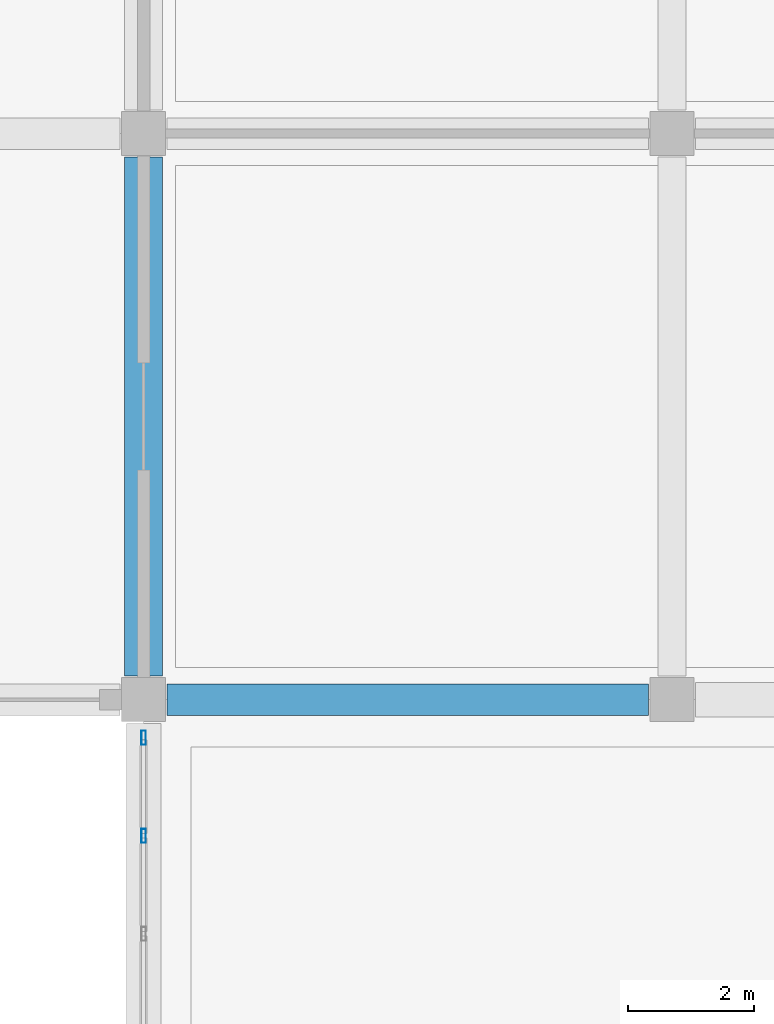
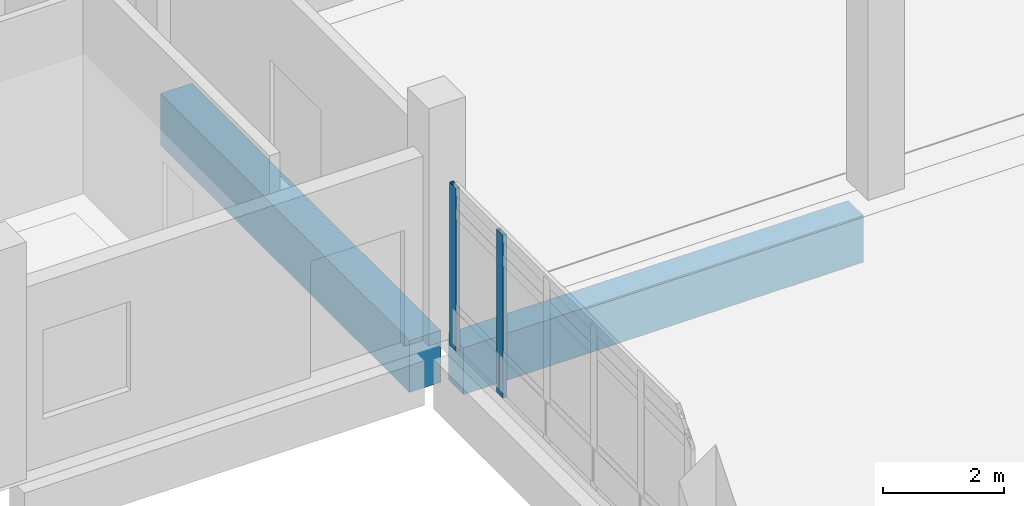
# One storey, part 13 of 95: 2 beams, 2 members, 1 element without a shape of its own.
"""IFC4 building model written with IfcOpenShell, lengths in metres."""

from ifc_helpers import new_model, si_unit, direction, frame, origin, origin_2d, place, context, subcontext, project, spatial, rectangle, hollow_rectangle, extrude, material, layer, layer_set, material_profile, profile_set, type_object, element, aggregate, save


model = new_model("IFC4")

# Units and contexts
model_context = context("Model", 3, precision=1e-05, world=origin(), true_north=direction((0.0, 1.0)))
body_context = subcontext(model_context, "Body", "Model", "MODEL_VIEW")
ifc_project = project(units=[si_unit("LENGTHUNIT", "METRE"), si_unit("AREAUNIT", "SQUARE_METRE"), si_unit("VOLUMEUNIT", "CUBIC_METRE"), si_unit("PLANEANGLEUNIT", "RADIAN"), si_unit("MASSUNIT", "GRAM", prefix="KILO")], contexts=[model_context])

# Site, building, storey
site_placement = place(None, origin())
site = spatial("IfcSite", under=ifc_project, at=site_placement, CompositionType="ELEMENT")
building_placement = place(site_placement, origin())
building = spatial("IfcBuilding", under=site, at=building_placement, Name="Vireocrest Preparatory School", CompositionType="ELEMENT")
storey_placement = place(building_placement, origin())
storey = spatial("IfcBuildingStorey", under=building, at=storey_placement, Name="L00", CompositionType="ELEMENT", Elevation=0.0)

# Curtain wall, members
ifc_material_1 = material(Name="Thermally broken aluminium EN AW-6063-T6", Category="aluminium")
ifc_layer = layer(ifc_material_1, 0.179931640625)
ifc_layer_set = layer_set([ifc_layer], Name="Thermally broken aluminium EN AW-6063-T6")
curtain_wall_type = type_object("IfcCurtainWallType", Name="Dining Side Storefront 9000x4400", PredefinedType="USERDEFINED", material=ifc_layer_set)
curtain_wall_placement = place(storey_placement, origin())
curtain_wall = element("IfcCurtainWall", 1, at=curtain_wall_placement, inside=storey, type_object=curtain_wall_type, Name="Curtain Wall CW11 CW_L00_CW11_0504_0095_000", ObjectType="CURTAIN WALL", PredefinedType="USERDEFINED")
ifc_material_profile_1 = material_profile(ifc_material_1, hollow_rectangle(XDim=0.074951171875, YDim=0.22509765625, WallThickness=0.0048828125, at=origin_2d()), Name="ALU 75x225x5")
ifc_profile_set_1 = profile_set([ifc_material_profile_1], Name="Thermally broken aluminium EN AW-6063-T6")
member_type = type_object("IfcMemberType", Name="CW Mullion 75x225x5", PredefinedType="MULLION", material=ifc_profile_set_1)
member_1_placement = place(storey_placement, frame((50.39990234375, 15.8369140625, 0.0), z_axis=(0.0, 0.0, 1.0), x_axis=(1.0, 0.0, 0.0)))
member_1 = element("IfcMember", 2, at=member_1_placement, type_object=member_type, Name="CW Mullion ML4 CW_L00_CW11_0504_0095_000-5", PredefinedType="MULLION", context=body_context, shape_type="SweptSolid", body=[
    extrude(hollow_rectangle(XDim=0.074951171875, YDim=0.22509765625, WallThickness=0.0048828125, at=origin_2d()), origin(), (0.0, 0.0, 1.0), 3.294921875),
])
member_2_placement = place(storey_placement, frame((50.39990234375, 17.39501953125, 0.0), z_axis=(0.0, 0.0, 1.0), x_axis=(1.0, 0.0, 0.0)))
member_2 = element("IfcMember", 3, at=member_2_placement, type_object=member_type, Name="CW Mullion ML4 CW_L00_CW11_0504_0095_000-6", PredefinedType="MULLION", context=body_context, shape_type="SweptSolid", body=[
    extrude(hollow_rectangle(XDim=0.074951171875, YDim=0.22509765625, WallThickness=0.0048828125, at=origin_2d()), origin(), (0.0, 0.0, 1.0), 3.294921875),
])
aggregate(curtain_wall, [member_1, member_2])

# Beams
ifc_material_2 = material(Name="Concrete 40 MPa", Category="concrete")
ifc_material_profile_2 = material_profile(ifc_material_2, rectangle(XDim=0.5, YDim=0.949951171875, at=origin_2d()), Name="RC 500x950")
ifc_profile_set_2 = profile_set([ifc_material_profile_2], Name="Concrete 40 MPa")
beam_type_1 = type_object("IfcBeamType", Name="RC Basement Ceiling Girder 500x950", PredefinedType="BEAM", material=ifc_profile_set_2)
beam_1_placement = place(storey_placement, frame((50.77490234375, 18.0, -0.824951171875), z_axis=(1.0, 0.0, 0.0), x_axis=(0.0, 1.0, 0.0)))
element("IfcBeam", 4, at=beam_1_placement, inside=storey, type_object=beam_type_1, Name="Primary Girder B16 L00-0014", PredefinedType="BEAM", context=body_context, shape_type="SweptSolid", body=[
    extrude(rectangle(XDim=0.5, YDim=0.949951171875, at=origin_2d()), origin(), (0.0, 0.0, 1.0), 7.650146484375),
])
ifc_material_profile_3 = material_profile(ifc_material_2, rectangle(XDim=0.60009765625, YDim=1.050048828125, at=origin_2d()), Name="RC 600x1050")
ifc_profile_set_3 = profile_set([ifc_material_profile_3], Name="Concrete 40 MPa")
beam_type_2 = type_object("IfcBeamType", Name="RC Transfer Girder 600x1050", PredefinedType="BEAM", material=ifc_profile_set_3)
beam_2_placement = place(storey_placement, frame((50.39990234375, 18.375, -0.875), z_axis=(0.0, 1.0, 0.0), x_axis=(-1.0, 0.0, 0.0)))
element("IfcBeam", 5, at=beam_2_placement, inside=storey, type_object=beam_type_2, Name="Primary Girder B19 L00-0156", PredefinedType="BEAM", context=body_context, shape_type="SweptSolid", body=[
    extrude(rectangle(XDim=0.60009765625, YDim=1.050048828125, at=origin_2d()), origin(), (0.0, 0.0, 1.0), 8.25),
])

save(model, "model.ifc")
